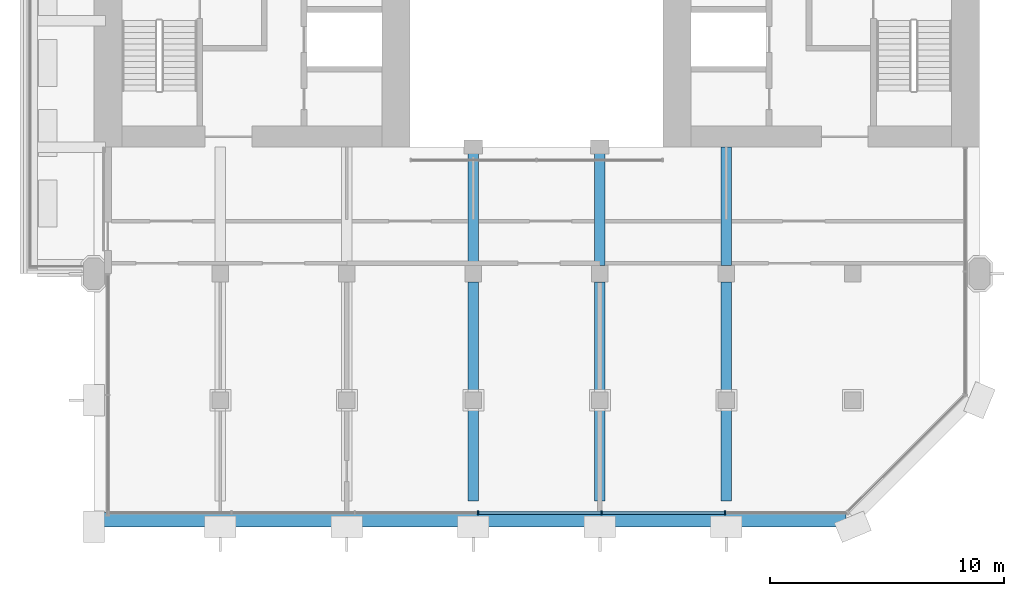
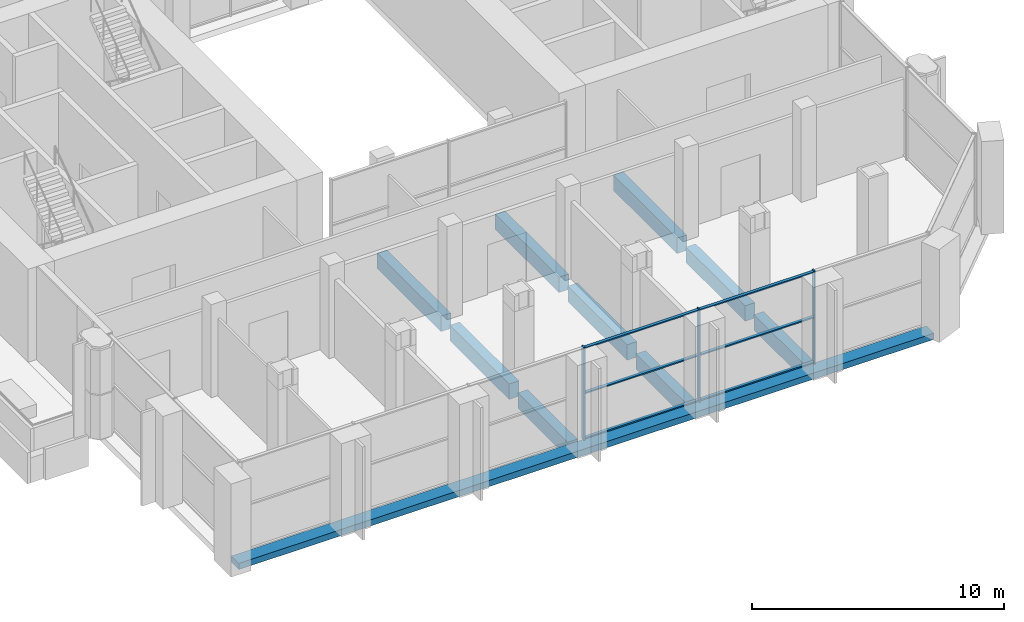
# One storey, part 3 of 14: 10 beams, 9 members, 1 element without a shape of its own.
"""IFC4 building model written with IfcOpenShell, lengths in metres."""

from ifc_helpers import new_model, si_unit, direction, frame, origin, origin_2d, place, context, subcontext, project, spatial, rectangle, extrude, material, material_profile, profile_set, type_object, element, aggregate, save


model = new_model("IFC4")

# Units and contexts
model_context = context("Model", 3, precision=1e-05, world=origin(), true_north=direction((0.0, 1.0)))
body_context = subcontext(model_context, "Body", "Model", "MODEL_VIEW")
ifc_project = project(units=[si_unit("LENGTHUNIT", "METRE"), si_unit("AREAUNIT", "SQUARE_METRE"), si_unit("VOLUMEUNIT", "CUBIC_METRE"), si_unit("PLANEANGLEUNIT", "RADIAN"), si_unit("MASSUNIT", "GRAM", prefix="KILO")], contexts=[model_context])

# Site, building, storey
site_placement = place(None, origin())
site = spatial("IfcSite", under=ifc_project, at=site_placement, CompositionType="ELEMENT")
building_placement = place(site_placement, origin())
building = spatial("IfcBuilding", under=site, at=building_placement, Name="Tabaq Tower and Sports Hall", CompositionType="ELEMENT")
storey_placement = place(building_placement, frame((0.0, 0.0, 250.89990234375)))
storey = spatial("IfcBuildingStorey", under=building, at=storey_placement, Name="L61", CompositionType="ELEMENT", Elevation=250.89990234375)

# Curtain wall, members
ifc_material_1 = material(Name="Aluminium alloy 6063-T6 framed glazing", Category="aluminium")
curtain_wall_type = type_object("IfcCurtainWallType", Name="CW3 curtain wall", PredefinedType="USERDEFINED", material=ifc_material_1)
curtain_wall_placement = place(storey_placement, origin())
curtain_wall = element("IfcCurtainWall", 1, at=curtain_wall_placement, inside=storey, type_object=curtain_wall_type, Name="Garden Floor Wall L61 S", ObjectType="GARDEN FLOOR WALL", PredefinedType="USERDEFINED")
ifc_material_2 = material(Name="Aluminium alloy 6063-T6", Category="aluminium")
ifc_material_profile_1 = material_profile(ifc_material_2, rectangle(XDim=0.179931640625, YDim=0.06005859375, at=origin_2d()), Name="MULLION 180x60")
ifc_profile_set_1 = profile_set([ifc_material_profile_1], Name="Aluminium alloy 6063-T6")
member_type_1 = type_object("IfcMemberType", Name="CW3 mullion 180x60", PredefinedType="MULLION", material=ifc_profile_set_1)
member_1_placement = place(storey_placement, frame((21.806884765625, 0.60009765625, 0.0), z_axis=(0.0, 0.0, 1.0), x_axis=(0.0, 1.0, 0.0)))
member_1 = element("IfcMember", 2, at=member_1_placement, type_object=member_type_1, Name="CW3 mullion 4", PredefinedType="MULLION", context=body_context, shape_type="SweptSolid", body=[
    extrude(rectangle(XDim=0.179931640625, YDim=0.06005859375, at=origin_2d()), origin(), (0.0, 0.0, 1.0), 4.5),
])
member_2_placement = place(storey_placement, frame((27.07568359375, 0.60009765625, 0.0), z_axis=(0.0, 0.0, 1.0), x_axis=(0.0, 1.0, 0.0)))
member_2 = element("IfcMember", 3, at=member_2_placement, type_object=member_type_1, Name="CW3 mullion 5", PredefinedType="MULLION", context=body_context, shape_type="SweptSolid", body=[
    extrude(rectangle(XDim=0.179931640625, YDim=0.06005859375, at=origin_2d()), origin(), (0.0, 0.0, 1.0), 4.5),
])
member_3_placement = place(storey_placement, frame((32.3447265625, 0.60009765625, 0.0), z_axis=(0.0, 0.0, 1.0), x_axis=(0.0, 1.0, 0.0)))
member_3 = element("IfcMember", 4, at=member_3_placement, type_object=member_type_1, Name="CW3 mullion 6", PredefinedType="MULLION", context=body_context, shape_type="SweptSolid", body=[
    extrude(rectangle(XDim=0.179931640625, YDim=0.06005859375, at=origin_2d()), origin(), (0.0, 0.0, 1.0), 4.5),
])
ifc_material_3 = material(Name="Aluminium alloy 6063-T6", Category="aluminium")
ifc_material_profile_2 = material_profile(ifc_material_3, rectangle(XDim=0.139892578125, YDim=0.06005859375, at=origin_2d()), Name="TRANSOM 140x60")
ifc_profile_set_2 = profile_set([ifc_material_profile_2], Name="Aluminium alloy 6063-T6")
member_type_2 = type_object("IfcMemberType", Name="CW3 transom 140x60", PredefinedType="USERDEFINED", material=ifc_profile_set_2)
member_4_placement = place(storey_placement, frame((21.8369140625, 0.60009765625, 0.070068359375), z_axis=(1.0, 0.0, 0.0), x_axis=(0.0, 1.0, 0.0)))
member_4 = element("IfcMember", 5, at=member_4_placement, type_object=member_type_2, Name="CW3 transom 4.1", ObjectType="TRANSOM", PredefinedType="USERDEFINED", context=body_context, shape_type="SweptSolid", body=[
    extrude(rectangle(XDim=0.139892578125, YDim=0.06005859375, at=origin_2d()), origin(), (0.0, 0.0, 1.0), 5.208740234375),
])
member_5_placement = place(storey_placement, frame((21.8369140625, 0.60009765625, 2.25), z_axis=(1.0, 0.0, 0.0), x_axis=(0.0, 1.0, 0.0)))
member_5 = element("IfcMember", 6, at=member_5_placement, type_object=member_type_2, Name="CW3 transom 4.2", ObjectType="TRANSOM", PredefinedType="USERDEFINED", context=body_context, shape_type="SweptSolid", body=[
    extrude(rectangle(XDim=0.139892578125, YDim=0.06005859375, at=origin_2d()), origin(), (0.0, 0.0, 1.0), 5.208740234375),
])
member_6_placement = place(storey_placement, frame((21.8369140625, 0.60009765625, 4.43017578125), z_axis=(1.0, 0.0, 0.0), x_axis=(0.0, 1.0, 0.0)))
member_6 = element("IfcMember", 7, at=member_6_placement, type_object=member_type_2, Name="CW3 transom 4.3", ObjectType="TRANSOM", PredefinedType="USERDEFINED", context=body_context, shape_type="SweptSolid", body=[
    extrude(rectangle(XDim=0.139892578125, YDim=0.06005859375, at=origin_2d()), origin(), (0.0, 0.0, 1.0), 5.208740234375),
])
member_7_placement = place(storey_placement, frame((27.105712890625, 0.60009765625, 0.070068359375), z_axis=(1.0, 0.0, 0.0), x_axis=(0.0, 1.0, 0.0)))
member_7 = element("IfcMember", 8, at=member_7_placement, type_object=member_type_2, Name="CW3 transom 5.1", ObjectType="TRANSOM", PredefinedType="USERDEFINED", context=body_context, shape_type="SweptSolid", body=[
    extrude(rectangle(XDim=0.139892578125, YDim=0.06005859375, at=origin_2d()), origin(), (0.0, 0.0, 1.0), 5.208984375),
])
member_8_placement = place(storey_placement, frame((27.105712890625, 0.60009765625, 2.25), z_axis=(1.0, 0.0, 0.0), x_axis=(0.0, 1.0, 0.0)))
member_8 = element("IfcMember", 9, at=member_8_placement, type_object=member_type_2, Name="CW3 transom 5.2", ObjectType="TRANSOM", PredefinedType="USERDEFINED", context=body_context, shape_type="SweptSolid", body=[
    extrude(rectangle(XDim=0.139892578125, YDim=0.06005859375, at=origin_2d()), origin(), (0.0, 0.0, 1.0), 5.208984375),
])
member_9_placement = place(storey_placement, frame((27.105712890625, 0.60009765625, 4.43017578125), z_axis=(1.0, 0.0, 0.0), x_axis=(0.0, 1.0, 0.0)))
member_9 = element("IfcMember", 10, at=member_9_placement, type_object=member_type_2, Name="CW3 transom 5.3", ObjectType="TRANSOM", PredefinedType="USERDEFINED", context=body_context, shape_type="SweptSolid", body=[
    extrude(rectangle(XDim=0.139892578125, YDim=0.06005859375, at=origin_2d()), origin(), (0.0, 0.0, 1.0), 5.208984375),
])
aggregate(curtain_wall, [member_1, member_2, member_3, member_4, member_5, member_6, member_7, member_8, member_9])

# Beams
ifc_material_4 = material(Name="Concrete C40/50", Category="concrete")
ifc_material_profile_3 = material_profile(ifc_material_4, rectangle(XDim=0.449951171875, YDim=0.75, at=origin_2d()), Name="CB 450x750")
ifc_profile_set_3 = profile_set([ifc_material_profile_3], Name="Concrete C40/50")
beam_type_1 = type_object("IfcBeamType", Name="PT CANTILEVER BEAM CB 450x750 C40/50", PredefinedType="BEAM", material=ifc_profile_set_3)
beam_1_placement = place(storey_placement, frame((21.60009765625, 1.10009765625, -0.6748046875), z_axis=(0.0, 1.0, 0.0), x_axis=(-1.0, 0.0, 0.0)))
element("IfcBeam", 11, at=beam_1_placement, inside=storey, type_object=beam_type_1, Name="Cantilever Beam L61 S4 span 1", PredefinedType="BEAM", context=body_context, shape_type="SweptSolid", body=[
    extrude(rectangle(XDim=0.449951171875, YDim=0.75, at=origin_2d()), origin(), (0.0, 0.0, 1.0), 3.949951171875),
])
beam_2_placement = place(storey_placement, frame((21.60009765625, 5.75, -0.6748046875), z_axis=(0.0, 1.0, 0.0), x_axis=(-1.0, 0.0, 0.0)))
element("IfcBeam", 12, at=beam_2_placement, inside=storey, type_object=beam_type_1, Name="Cantilever Beam L61 S4 span 2", PredefinedType="BEAM", context=body_context, shape_type="SweptSolid", body=[
    extrude(rectangle(XDim=0.449951171875, YDim=0.75, at=origin_2d()), origin(), (0.0, 0.0, 1.0), 4.699951171875),
])
beam_3_placement = place(storey_placement, frame((21.60009765625, 11.14990234375, -0.6748046875), z_axis=(0.0, 1.0, 0.0), x_axis=(-1.0, 0.0, 0.0)))
element("IfcBeam", 13, at=beam_3_placement, inside=storey, type_object=beam_type_1, Name="Cantilever Beam L61 S4 span 3", PredefinedType="BEAM", context=body_context, shape_type="SweptSolid", body=[
    extrude(rectangle(XDim=0.449951171875, YDim=0.75, at=origin_2d()), origin(), (0.0, 0.0, 1.0), 5.050048828125),
])
beam_4_placement = place(storey_placement, frame((27.0, 1.10009765625, -0.6748046875), z_axis=(0.0, 1.0, 0.0), x_axis=(-1.0, 0.0, 0.0)))
element("IfcBeam", 14, at=beam_4_placement, inside=storey, type_object=beam_type_1, Name="Cantilever Beam L61 S5 span 1", PredefinedType="BEAM", context=body_context, shape_type="SweptSolid", body=[
    extrude(rectangle(XDim=0.449951171875, YDim=0.75, at=origin_2d()), origin(), (0.0, 0.0, 1.0), 3.949951171875),
])
beam_5_placement = place(storey_placement, frame((27.0, 5.75, -0.6748046875), z_axis=(0.0, 1.0, 0.0), x_axis=(-1.0, 0.0, 0.0)))
element("IfcBeam", 15, at=beam_5_placement, inside=storey, type_object=beam_type_1, Name="Cantilever Beam L61 S5 span 2", PredefinedType="BEAM", context=body_context, shape_type="SweptSolid", body=[
    extrude(rectangle(XDim=0.449951171875, YDim=0.75, at=origin_2d()), origin(), (0.0, 0.0, 1.0), 4.699951171875),
])
beam_6_placement = place(storey_placement, frame((27.0, 11.14990234375, -0.6748046875), z_axis=(0.0, 1.0, 0.0), x_axis=(-1.0, 0.0, 0.0)))
element("IfcBeam", 16, at=beam_6_placement, inside=storey, type_object=beam_type_1, Name="Cantilever Beam L61 S5 span 3", PredefinedType="BEAM", context=body_context, shape_type="SweptSolid", body=[
    extrude(rectangle(XDim=0.449951171875, YDim=0.75, at=origin_2d()), origin(), (0.0, 0.0, 1.0), 5.050048828125),
])
beam_7_placement = place(storey_placement, frame((32.39990234375, 1.10009765625, -0.6748046875), z_axis=(0.0, 1.0, 0.0), x_axis=(-1.0, 0.0, 0.0)))
element("IfcBeam", 17, at=beam_7_placement, inside=storey, type_object=beam_type_1, Name="Cantilever Beam L61 S6 span 1", PredefinedType="BEAM", context=body_context, shape_type="SweptSolid", body=[
    extrude(rectangle(XDim=0.449951171875, YDim=0.75, at=origin_2d()), origin(), (0.0, 0.0, 1.0), 3.949951171875),
])
beam_8_placement = place(storey_placement, frame((32.39990234375, 5.75, -0.6748046875), z_axis=(0.0, 1.0, 0.0), x_axis=(-1.0, 0.0, 0.0)))
element("IfcBeam", 18, at=beam_8_placement, inside=storey, type_object=beam_type_1, Name="Cantilever Beam L61 S6 span 2", PredefinedType="BEAM", context=body_context, shape_type="SweptSolid", body=[
    extrude(rectangle(XDim=0.449951171875, YDim=0.75, at=origin_2d()), origin(), (0.0, 0.0, 1.0), 4.699951171875),
])
beam_9_placement = place(storey_placement, frame((32.39990234375, 11.14990234375, -0.6748046875), z_axis=(0.0, 1.0, 0.0), x_axis=(-1.0, 0.0, 0.0)))
element("IfcBeam", 19, at=beam_9_placement, inside=storey, type_object=beam_type_1, Name="Cantilever Beam L61 S6 span 3", PredefinedType="BEAM", context=body_context, shape_type="SweptSolid", body=[
    extrude(rectangle(XDim=0.449951171875, YDim=0.75, at=origin_2d()), origin(), (0.0, 0.0, 1.0), 5.050048828125),
])
ifc_material_5 = material(Name="Concrete C40/50", Category="concrete")
ifc_material_profile_4 = material_profile(ifc_material_5, rectangle(XDim=0.60009765625, YDim=0.300048828125, at=origin_2d()), Name="EB 600x300")
ifc_profile_set_4 = profile_set([ifc_material_profile_4], Name="Concrete C40/50")
beam_type_2 = type_object("IfcBeamType", Name="PT EDGE BEAM EB 600x300 C40/50", PredefinedType="SPANDREL", material=ifc_profile_set_4)
beam_10_placement = place(storey_placement, frame((5.68994140625, 0.300048828125, -0.14990234375), z_axis=(1.0, 0.0, 0.0), x_axis=(0.0, 1.0, 0.0)))
element("IfcBeam", 20, at=beam_10_placement, inside=storey, type_object=beam_type_2, Name="Edge Beam L61 1", PredefinedType="SPANDREL", context=body_context, shape_type="SweptSolid", body=[
    extrude(rectangle(XDim=0.60009765625, YDim=0.300048828125, at=origin_2d()), origin(), (0.0, 0.0, 1.0), 31.8115234375),
])

save(model, "model.ifc")
